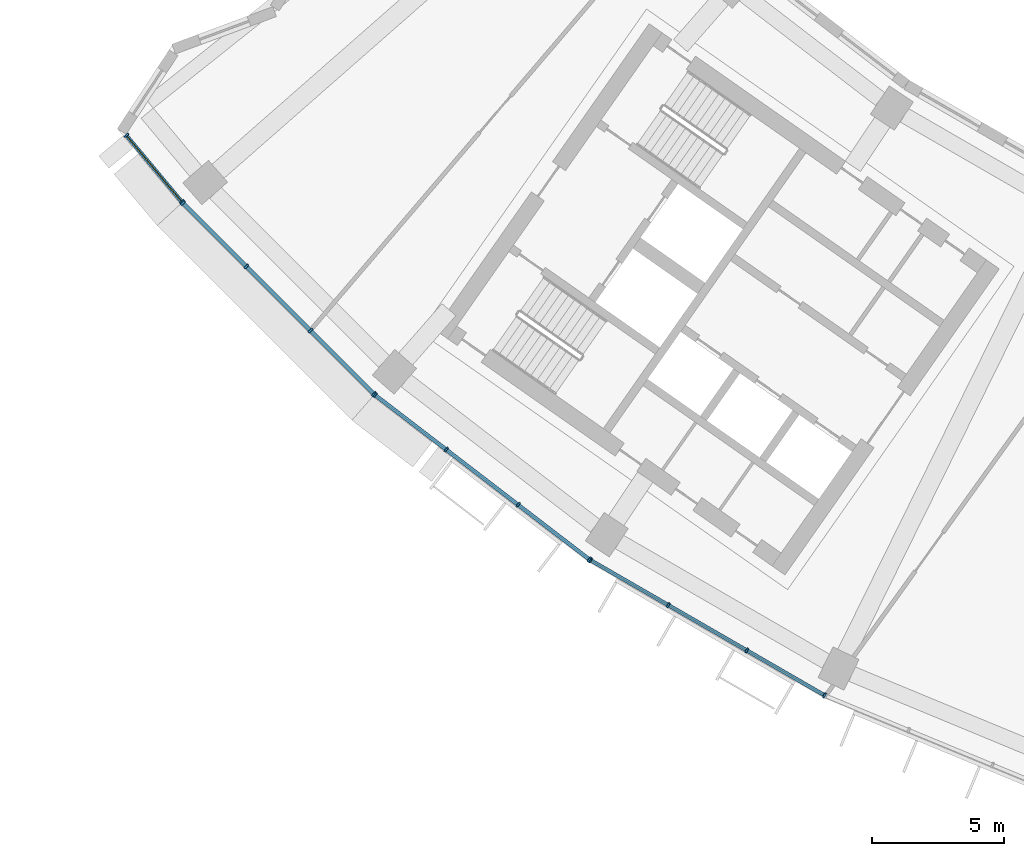
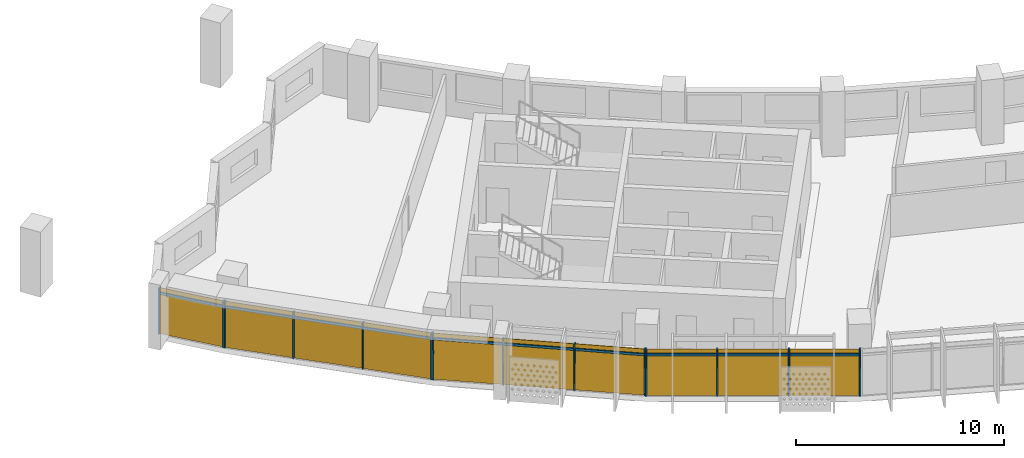
# One storey, part 17 of 27: 24 members, 4 curtain walls.
"""IFC4 building model written with IfcOpenShell, lengths in metres."""

from ifc_helpers import new_model, si_unit, direction, frame, origin, origin_2d, place, context, subcontext, project, spatial, rectangle, extrude, material, material_profile, profile_set, type_object, element, aggregate, save


model = new_model("IFC4")

# Units and contexts
model_context = context("Model", 3, precision=1e-05, world=origin(), true_north=direction((0.0, 1.0)))
body_context = subcontext(model_context, "Body", "Model", "MODEL_VIEW")
ifc_project = project(units=[si_unit("LENGTHUNIT", "METRE"), si_unit("AREAUNIT", "SQUARE_METRE"), si_unit("VOLUMEUNIT", "CUBIC_METRE"), si_unit("PLANEANGLEUNIT", "RADIAN"), si_unit("MASSUNIT", "GRAM", prefix="KILO")], contexts=[model_context])

# Member
ifc_material = material(Name="Aluminium 6063-T6 anodised", Category="aluminium")
ifc_material_profile_1 = material_profile(ifc_material, rectangle(XDim=0.199951171875, YDim=0.070068359375, at=origin_2d()))
ifc_profile_set_1 = profile_set([ifc_material_profile_1], Name="Aluminium 6063-T6 anodised")
member_type_1 = type_object("IfcMemberType", Name="Mullion 70 x 200 aluminium", PredefinedType="MULLION", material=ifc_profile_set_1)
site_placement = place(None, origin())
building_placement = place(site_placement, origin())
storey_placement = place(building_placement, frame((0.0, 0.0, 194.89990234375)))
member_1_placement = place(storey_placement, frame((-61.451416015625, -49.47265625, 0.0), z_axis=(0.0, 0.0, 1.0), x_axis=(0.767258362212, 0.641338136723, 0.0)))
member_1 = element("IfcMember", 1, at=member_1_placement, type_object=member_type_1, Name="e-cw1-L46-out00/M00", PredefinedType="MULLION", context=body_context, shape_type="SweptSolid", body=[
    extrude(rectangle(XDim=0.199951171875, YDim=0.070068359375, at=origin_2d()), origin(), (0.0, 0.0, 1.0), 2.7001953125),
])

member_2_placement = place(storey_placement, frame((-59.341064453125, -51.997314453125, 0.0), z_axis=(0.0, 0.0, 1.0), x_axis=(0.767258362212, 0.641338136723, 0.0)))
member_2 = element("IfcMember", 2, at=member_2_placement, type_object=member_type_1, Name="e-cw1-L46-out00/M01", PredefinedType="MULLION", context=body_context, shape_type="SweptSolid", body=[
    extrude(rectangle(XDim=0.199951171875, YDim=0.070068359375, at=origin_2d()), origin(), (0.0, 0.0, 1.0), 2.7001953125),
])

member_3_placement = place(storey_placement, frame((-59.2998046875, -52.042236328125, 0.0), z_axis=(0.0, 0.0, 1.0), x_axis=(0.707106781187, 0.707106781187, 0.0)))
member_3 = element("IfcMember", 3, at=member_3_placement, type_object=member_type_1, Name="e-cw1-L46-out01/M00", PredefinedType="MULLION", context=body_context, shape_type="SweptSolid", body=[
    extrude(rectangle(XDim=0.199951171875, YDim=0.070068359375, at=origin_2d()), origin(), (0.0, 0.0, 1.0), 2.7001953125),
])

member_4_placement = place(storey_placement, frame((-56.888916015625, -54.453369140625, 0.0), z_axis=(0.0, 0.0, 1.0), x_axis=(0.707106781187, 0.707106781187, 0.0)))
member_4 = element("IfcMember", 4, at=member_4_placement, type_object=member_type_1, Name="e-cw1-L46-out01/M01", PredefinedType="MULLION", context=body_context, shape_type="SweptSolid", body=[
    extrude(rectangle(XDim=0.199951171875, YDim=0.070068359375, at=origin_2d()), origin(), (0.0, 0.0, 1.0), 2.7001953125),
])

member_5_placement = place(storey_placement, frame((-54.453369140625, -56.888916015625, 0.0), z_axis=(0.0, 0.0, 1.0), x_axis=(0.707106781187, 0.707106781187, 0.0)))
member_5 = element("IfcMember", 5, at=member_5_placement, type_object=member_type_1, Name="e-cw1-L46-out01/M02", PredefinedType="MULLION", context=body_context, shape_type="SweptSolid", body=[
    extrude(rectangle(XDim=0.199951171875, YDim=0.070068359375, at=origin_2d()), origin(), (0.0, 0.0, 1.0), 2.7001953125),
])

member_6_placement = place(storey_placement, frame((-52.042236328125, -59.2998046875, 0.0), z_axis=(0.0, 0.0, 1.0), x_axis=(0.707106781187, 0.707106781187, 0.0)))
member_6 = element("IfcMember", 6, at=member_6_placement, type_object=member_type_1, Name="e-cw1-L46-out01/M03", PredefinedType="MULLION", context=body_context, shape_type="SweptSolid", body=[
    extrude(rectangle(XDim=0.199951171875, YDim=0.070068359375, at=origin_2d()), origin(), (0.0, 0.0, 1.0), 2.7001953125),
])

member_7_placement = place(storey_placement, frame((-51.999755859375, -59.33740234375, 0.0), z_axis=(0.0, 0.0, 1.0), x_axis=(0.608761429009, 0.793353340291, 0.0)))
member_7 = element("IfcMember", 7, at=member_7_placement, type_object=member_type_1, Name="e-cw1-L46-out02/M00", PredefinedType="MULLION", context=body_context, shape_type="SweptSolid", body=[
    extrude(rectangle(XDim=0.199951171875, YDim=0.070068359375, at=origin_2d()), origin(), (0.0, 0.0, 1.0), 2.7001953125),
])

member_8_placement = place(storey_placement, frame((-49.294677734375, -61.412841796875, 0.0), z_axis=(0.0, 0.0, 1.0), x_axis=(0.608761429009, 0.793353340291, 0.0)))
member_8 = element("IfcMember", 8, at=member_8_placement, type_object=member_type_1, Name="e-cw1-L46-out02/M01", PredefinedType="MULLION", context=body_context, shape_type="SweptSolid", body=[
    extrude(rectangle(XDim=0.199951171875, YDim=0.070068359375, at=origin_2d()), origin(), (0.0, 0.0, 1.0), 2.7001953125),
])

member_9_placement = place(storey_placement, frame((-46.56201171875, -63.509765625, 0.0), z_axis=(0.0, 0.0, 1.0), x_axis=(0.608761429009, 0.793353340291, 0.0)))
member_9 = element("IfcMember", 9, at=member_9_placement, type_object=member_type_1, Name="e-cw1-L46-out02/M02", PredefinedType="MULLION", context=body_context, shape_type="SweptSolid", body=[
    extrude(rectangle(XDim=0.199951171875, YDim=0.070068359375, at=origin_2d()), origin(), (0.0, 0.0, 1.0), 2.7001953125),
])

member_10_placement = place(storey_placement, frame((-43.85693359375, -65.58544921875, 0.0), z_axis=(0.0, 0.0, 1.0), x_axis=(0.608761429009, 0.793353340291, 0.0)))
member_10 = element("IfcMember", 10, at=member_10_placement, type_object=member_type_1, Name="e-cw1-L46-out02/M03", PredefinedType="MULLION", context=body_context, shape_type="SweptSolid", body=[
    extrude(rectangle(XDim=0.199951171875, YDim=0.070068359375, at=origin_2d()), origin(), (0.0, 0.0, 1.0), 2.7001953125),
])

member_11_placement = place(storey_placement, frame((-43.809814453125, -65.616943359375, 0.0), z_axis=(0.0, 0.0, 1.0), x_axis=(0.5, 0.866025403784, 0.0)))
member_11 = element("IfcMember", 11, at=member_11_placement, type_object=member_type_1, Name="e-cw1-L46-out03/M00", PredefinedType="MULLION", context=body_context, shape_type="SweptSolid", body=[
    extrude(rectangle(XDim=0.199951171875, YDim=0.070068359375, at=origin_2d()), origin(), (0.0, 0.0, 1.0), 2.7001953125),
])

member_12_placement = place(storey_placement, frame((-40.85693359375, -67.32177734375, 0.0), z_axis=(0.0, 0.0, 1.0), x_axis=(0.5, 0.866025403784, 0.0)))
member_12 = element("IfcMember", 12, at=member_12_placement, type_object=member_type_1, Name="e-cw1-L46-out03/M01", PredefinedType="MULLION", context=body_context, shape_type="SweptSolid", body=[
    extrude(rectangle(XDim=0.199951171875, YDim=0.070068359375, at=origin_2d()), origin(), (0.0, 0.0, 1.0), 2.7001953125),
])

member_13_placement = place(storey_placement, frame((-37.873779296875, -69.0439453125, 0.0), z_axis=(0.0, 0.0, 1.0), x_axis=(0.5, 0.866025403784, 0.0)))
member_13 = element("IfcMember", 13, at=member_13_placement, type_object=member_type_1, Name="e-cw1-L46-out03/M02", PredefinedType="MULLION", context=body_context, shape_type="SweptSolid", body=[
    extrude(rectangle(XDim=0.199951171875, YDim=0.070068359375, at=origin_2d()), origin(), (0.0, 0.0, 1.0), 2.7001953125),
])

member_14_placement = place(storey_placement, frame((-34.921142578125, -70.748779296875, 0.0), z_axis=(0.0, 0.0, 1.0), x_axis=(0.5, 0.866025403784, 0.0)))
member_14 = element("IfcMember", 14, at=member_14_placement, type_object=member_type_1, Name="e-cw1-L46-out03/M03", PredefinedType="MULLION", context=body_context, shape_type="SweptSolid", body=[
    extrude(rectangle(XDim=0.199951171875, YDim=0.070068359375, at=origin_2d()), origin(), (0.0, 0.0, 1.0), 2.7001953125),
])

ifc_material_profile_2 = material_profile(ifc_material, rectangle(XDim=0.139892578125, YDim=0.1201171875, at=origin_2d()))
ifc_profile_set_2 = profile_set([ifc_material_profile_2], Name="Aluminium 6063-T6 anodised")
member_type_2 = type_object("IfcMemberType", Name="Transom 120 x 140 aluminium", PredefinedType="USERDEFINED", material=ifc_profile_set_2)
member_15_placement = place(storey_placement, frame((-61.428955078125, -49.49951171875, 2.400146484375), z_axis=(0.641339443248, -0.767257270108, 0.0), x_axis=(0.767257270108, 0.641339443248, 0.0)))
member_15 = element("IfcMember", 15, at=member_15_placement, type_object=member_type_2, Name="e-cw1-L46-out00/T00", ObjectType="TRANSOM", PredefinedType="USERDEFINED", context=body_context, shape_type="SweptSolid", body=[
    extrude(rectangle(XDim=0.139892578125, YDim=0.1201171875, at=origin_2d()), origin(), (0.0, 0.0, 1.0), 3.220458984375),
])

member_16_placement = place(storey_placement, frame((-59.275146484375, -52.067138671875, 2.400146484375), z_axis=(0.707106781187, -0.707106781187, 0.0), x_axis=(0.707106781187, 0.707106781187, 0.0)))
member_16 = element("IfcMember", 16, at=member_16_placement, type_object=member_type_2, Name="e-cw1-L46-out01/T00", ObjectType="TRANSOM", PredefinedType="USERDEFINED", context=body_context, shape_type="SweptSolid", body=[
    extrude(rectangle(XDim=0.139892578125, YDim=0.1201171875, at=origin_2d()), origin(), (0.0, 0.0, 1.0), 3.33935546875),
])

member_17_placement = place(storey_placement, frame((-56.8642578125, -54.47802734375, 2.400146484375), z_axis=(0.707106781187, -0.707106781187, 0.0), x_axis=(0.707106781187, 0.707106781187, 0.0)))
member_17 = element("IfcMember", 17, at=member_17_placement, type_object=member_type_2, Name="e-cw1-L46-out01/T01", ObjectType="TRANSOM", PredefinedType="USERDEFINED", context=body_context, shape_type="SweptSolid", body=[
    extrude(rectangle(XDim=0.139892578125, YDim=0.1201171875, at=origin_2d()), origin(), (0.0, 0.0, 1.0), 3.374755859375),
])

member_18_placement = place(storey_placement, frame((-54.428466796875, -56.913818359375, 2.400146484375), z_axis=(0.707106781187, -0.707106781187, 0.0), x_axis=(0.707106781187, 0.707106781187, 0.0)))
member_18 = element("IfcMember", 18, at=member_18_placement, type_object=member_type_2, Name="e-cw1-L46-out01/T02", ObjectType="TRANSOM", PredefinedType="USERDEFINED", context=body_context, shape_type="SweptSolid", body=[
    extrude(rectangle(XDim=0.139892578125, YDim=0.1201171875, at=origin_2d()), origin(), (0.0, 0.0, 1.0), 3.33935546875),
])

member_19_placement = place(storey_placement, frame((-51.971923828125, -59.358642578125, 2.400146484375), z_axis=(0.793354486861, -0.608759934767, 0.0), x_axis=(0.608759934767, 0.793354486861, 0.0)))
member_19 = element("IfcMember", 19, at=member_19_placement, type_object=member_type_2, Name="e-cw1-L46-out02/T00", ObjectType="TRANSOM", PredefinedType="USERDEFINED", context=body_context, shape_type="SweptSolid", body=[
    extrude(rectangle(XDim=0.139892578125, YDim=0.1201171875, at=origin_2d()), origin(), (0.0, 0.0, 1.0), 3.339599609375),
])

member_20_placement = place(storey_placement, frame((-49.266845703125, -61.434326171875, 2.400146484375), z_axis=(0.793371081522, -0.608738307489, 0.0), x_axis=(0.608738307489, 0.793371081522, 0.0)))
member_20 = element("IfcMember", 20, at=member_20_placement, type_object=member_type_2, Name="e-cw1-L46-out02/T01", ObjectType="TRANSOM", PredefinedType="USERDEFINED", context=body_context, shape_type="SweptSolid", body=[
    extrude(rectangle(XDim=0.139892578125, YDim=0.1201171875, at=origin_2d()), origin(), (0.0, 0.0, 1.0), 3.37451171875),
])

member_21_placement = place(storey_placement, frame((-46.5341796875, -63.53125, 2.400146484375), z_axis=(0.793354486861, -0.608759934767, 0.0), x_axis=(0.608759934767, 0.793354486861, 0.0)))
member_21 = element("IfcMember", 21, at=member_21_placement, type_object=member_type_2, Name="e-cw1-L46-out02/T02", ObjectType="TRANSOM", PredefinedType="USERDEFINED", context=body_context, shape_type="SweptSolid", body=[
    extrude(rectangle(XDim=0.139892578125, YDim=0.1201171875, at=origin_2d()), origin(), (0.0, 0.0, 1.0), 3.339599609375),
])

member_22_placement = place(storey_placement, frame((-43.779541015625, -65.634521484375, 2.400146484375), z_axis=(0.866052898888, -0.49995237406, 0.0), x_axis=(0.49995237406, 0.866052898888, 0.0)))
member_22 = element("IfcMember", 22, at=member_22_placement, type_object=member_type_2, Name="e-cw1-L46-out03/T00", ObjectType="TRANSOM", PredefinedType="USERDEFINED", context=body_context, shape_type="SweptSolid", body=[
    extrude(rectangle(XDim=0.139892578125, YDim=0.1201171875, at=origin_2d()), origin(), (0.0, 0.0, 1.0), 3.339599609375),
])

member_23_placement = place(storey_placement, frame((-40.82666015625, -67.33935546875, 2.400146484375), z_axis=(0.86602172966, -0.500006363716, 0.0), x_axis=(0.500006363716, 0.86602172966, 0.0)))
member_23 = element("IfcMember", 23, at=member_23_placement, type_object=member_type_2, Name="e-cw1-L46-out03/T01", ObjectType="TRANSOM", PredefinedType="USERDEFINED", context=body_context, shape_type="SweptSolid", body=[
    extrude(rectangle(XDim=0.139892578125, YDim=0.1201171875, at=origin_2d()), origin(), (0.0, 0.0, 1.0), 3.37451171875),
])

member_24_placement = place(storey_placement, frame((-37.843505859375, -69.0615234375, 2.400146484375), z_axis=(0.866002968352, -0.500038857296, 0.0), x_axis=(0.500038857296, 0.866002968352, 0.0)))
member_24 = element("IfcMember", 24, at=member_24_placement, type_object=member_type_2, Name="e-cw1-L46-out03/T02", ObjectType="TRANSOM", PredefinedType="USERDEFINED", context=body_context, shape_type="SweptSolid", body=[
    extrude(rectangle(XDim=0.139892578125, YDim=0.1201171875, at=origin_2d()), origin(), (0.0, 0.0, 1.0), 3.339599609375),
])

# Site, building, storey
site = spatial("IfcSite", under=ifc_project, at=site_placement, CompositionType="ELEMENT")
building = spatial("IfcBuilding", under=site, at=building_placement, Name="Qamariyya Broadcast Tower", CompositionType="ELEMENT")
storey = spatial("IfcBuildingStorey", under=building, at=storey_placement, Name="L46", CompositionType="ELEMENT", Elevation=194.89990234375)

# Curtain wall
curtain_wall_type = type_object("IfcCurtainWallType", Name="Unitised curtain wall, anodised aluminium", PredefinedType="NOTDEFINED", material=ifc_material)
curtain_wall_1_placement = place(storey_placement, origin())
curtain_wall_1 = element("IfcCurtainWall", 25, at=curtain_wall_1_placement, inside=storey, type_object=curtain_wall_type, Name="e-cw1-L46-out00", PredefinedType="NOTDEFINED", context=body_context, shape_type="SweptSolid", body=[
    extrude(rectangle(XDim=3.220458984375, YDim=0.031982421875, at=origin_2d()), frame((-60.396240234375, -50.73486328125, 0.0), x_axis=(0.641348435321, -0.767249753673, 0.0)), (0.0, 0.0, 1.0), 2.340087890625),
    extrude(rectangle(XDim=3.220458984375, YDim=0.031982421875, at=origin_2d()), frame((-60.396240234375, -50.73486328125, 2.460205078125), x_axis=(0.641348435321, -0.767249753673, 0.0)), (0.0, 0.0, 1.0), 0.239990234375),
])

aggregate(curtain_wall_1, [member_1, member_2, member_15])

curtain_wall_2_placement = place(storey_placement, origin())
curtain_wall_2 = element("IfcCurtainWall", 26, at=curtain_wall_2_placement, inside=storey, type_object=curtain_wall_type, Name="e-cw1-L46-out01", PredefinedType="NOTDEFINED", context=body_context, shape_type="SweptSolid", body=[
    extrude(rectangle(XDim=3.339599609375, YDim=0.031982421875, at=origin_2d()), frame((-58.094482421875, -53.247802734375, 0.0), x_axis=(0.707106781187, -0.707106781187, 0.0)), (0.0, 0.0, 1.0), 2.340087890625),
    extrude(rectangle(XDim=3.339599609375, YDim=0.031982421875, at=origin_2d()), frame((-58.094482421875, -53.247802734375, 2.460205078125), x_axis=(0.707106781187, -0.707106781187, 0.0)), (0.0, 0.0, 1.0), 0.239990234375),
    extrude(rectangle(XDim=3.37451171875, YDim=0.031982421875, at=origin_2d()), frame((-55.671142578125, -55.671142578125, 0.0), x_axis=(0.707106781187, -0.707106781187, 0.0)), (0.0, 0.0, 1.0), 2.340087890625),
    extrude(rectangle(XDim=3.37451171875, YDim=0.031982421875, at=origin_2d()), frame((-55.671142578125, -55.671142578125, 2.460205078125), x_axis=(0.707106781187, -0.707106781187, 0.0)), (0.0, 0.0, 1.0), 0.239990234375),
    extrude(rectangle(XDim=3.339599609375, YDim=0.031982421875, at=origin_2d()), frame((-53.247802734375, -58.094482421875, 0.0), x_axis=(0.707106781187, -0.707106781187, 0.0)), (0.0, 0.0, 1.0), 2.340087890625),
    extrude(rectangle(XDim=3.339599609375, YDim=0.031982421875, at=origin_2d()), frame((-53.247802734375, -58.094482421875, 2.460205078125), x_axis=(0.707106781187, -0.707106781187, 0.0)), (0.0, 0.0, 1.0), 0.239990234375),
])

aggregate(curtain_wall_2, [member_3, member_4, member_5, member_6, member_16, member_17, member_18])

curtain_wall_3_placement = place(storey_placement, origin())
curtain_wall_3 = element("IfcCurtainWall", 27, at=curtain_wall_3_placement, inside=storey, type_object=curtain_wall_type, Name="e-cw1-L46-out02", PredefinedType="NOTDEFINED", context=body_context, shape_type="SweptSolid", body=[
    extrude(rectangle(XDim=3.339599609375, YDim=0.031982421875, at=origin_2d()), frame((-50.64697265625, -60.375, 0.0), x_axis=(0.793351517557, -0.608763804434, 0.0)), (0.0, 0.0, 1.0), 2.340087890625),
    extrude(rectangle(XDim=3.339599609375, YDim=0.031982421875, at=origin_2d()), frame((-50.64697265625, -60.375, 2.460205078125), x_axis=(0.793351517557, -0.608763804434, 0.0)), (0.0, 0.0, 1.0), 0.239990234375),
    extrude(rectangle(XDim=3.37451171875, YDim=0.031982421875, at=origin_2d()), frame((-47.92822265625, -62.46142578125, 0.0), x_axis=(0.793351517557, -0.608763804434, 0.0)), (0.0, 0.0, 1.0), 2.340087890625),
    extrude(rectangle(XDim=3.37451171875, YDim=0.031982421875, at=origin_2d()), frame((-47.92822265625, -62.46142578125, 2.460205078125), x_axis=(0.793351517557, -0.608763804434, 0.0)), (0.0, 0.0, 1.0), 0.239990234375),
    extrude(rectangle(XDim=3.339599609375, YDim=0.031982421875, at=origin_2d()), frame((-45.20947265625, -64.547607421875, 0.0), x_axis=(0.793351517557, -0.608763804434, 0.0)), (0.0, 0.0, 1.0), 2.340087890625),
    extrude(rectangle(XDim=3.339599609375, YDim=0.031982421875, at=origin_2d()), frame((-45.20947265625, -64.547607421875, 2.460205078125), x_axis=(0.793351517557, -0.608763804434, 0.0)), (0.0, 0.0, 1.0), 0.239990234375),
])

aggregate(curtain_wall_3, [member_7, member_8, member_9, member_10, member_19, member_20, member_21])

curtain_wall_4_placement = place(storey_placement, origin())
curtain_wall_4 = element("IfcCurtainWall", 28, at=curtain_wall_4_placement, inside=storey, type_object=curtain_wall_type, Name="e-cw1-L46-out03", PredefinedType="NOTDEFINED", context=body_context, shape_type="SweptSolid", body=[
    extrude(rectangle(XDim=3.339599609375, YDim=0.031982421875, at=origin_2d()), frame((-42.33349609375, -66.469482421875, 0.0), x_axis=(0.866028999376, -0.499993772201, 0.0)), (0.0, 0.0, 1.0), 2.340087890625),
    extrude(rectangle(XDim=3.339599609375, YDim=0.031982421875, at=origin_2d()), frame((-42.33349609375, -66.469482421875, 2.460205078125), x_axis=(0.866028999376, -0.499993772201, 0.0)), (0.0, 0.0, 1.0), 0.239990234375),
    extrude(rectangle(XDim=3.37451171875, YDim=0.031982421875, at=origin_2d()), frame((-39.365478515625, -68.18310546875, 0.0), x_axis=(0.866028999376, -0.499993772201, 0.0)), (0.0, 0.0, 1.0), 2.340087890625),
    extrude(rectangle(XDim=3.37451171875, YDim=0.031982421875, at=origin_2d()), frame((-39.365478515625, -68.18310546875, 2.460205078125), x_axis=(0.866028999376, -0.499993772201, 0.0)), (0.0, 0.0, 1.0), 0.239990234375),
    extrude(rectangle(XDim=3.339599609375, YDim=0.031982421875, at=origin_2d()), frame((-36.3974609375, -69.896484375, 0.0), x_axis=(0.866028999376, -0.499993772201, 0.0)), (0.0, 0.0, 1.0), 2.340087890625),
    extrude(rectangle(XDim=3.339599609375, YDim=0.031982421875, at=origin_2d()), frame((-36.3974609375, -69.896484375, 2.460205078125), x_axis=(0.866028999376, -0.499993772201, 0.0)), (0.0, 0.0, 1.0), 0.239990234375),
])

aggregate(curtain_wall_4, [member_11, member_12, member_13, member_14, member_22, member_23, member_24])

save(model, "model.ifc")
